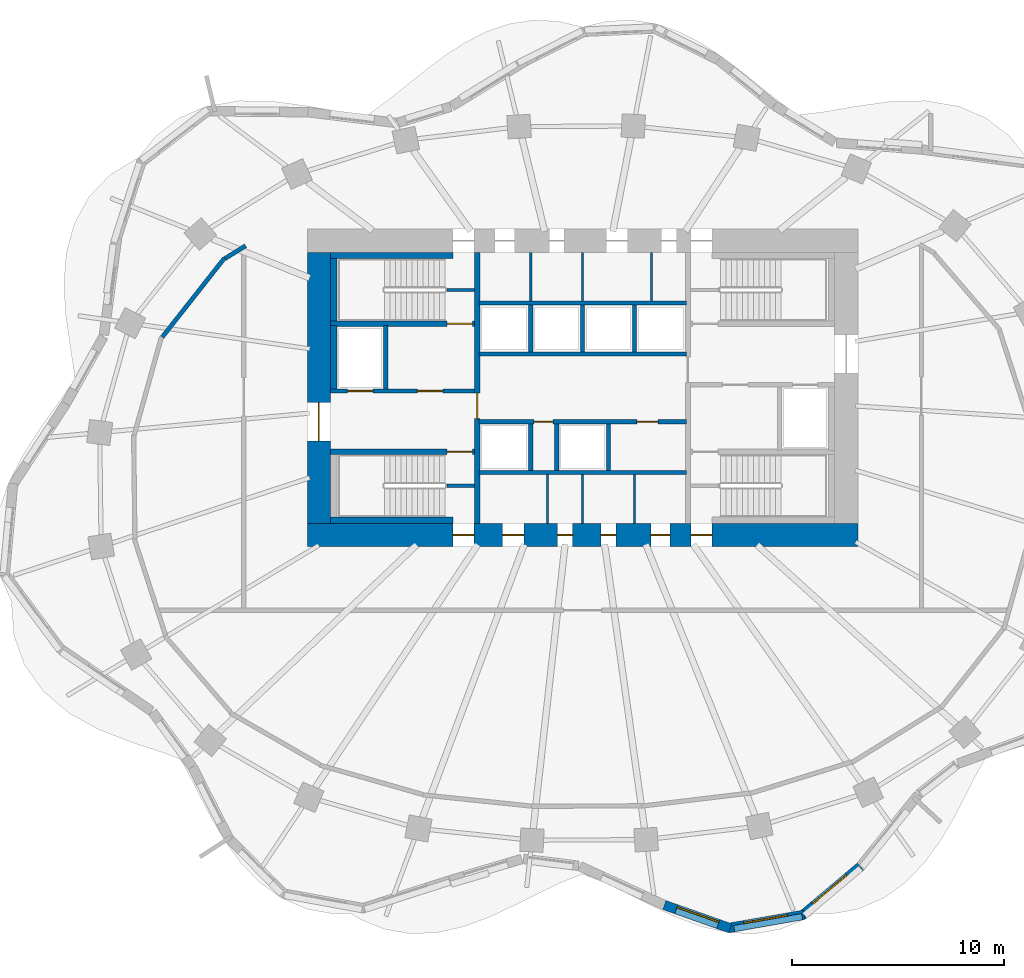
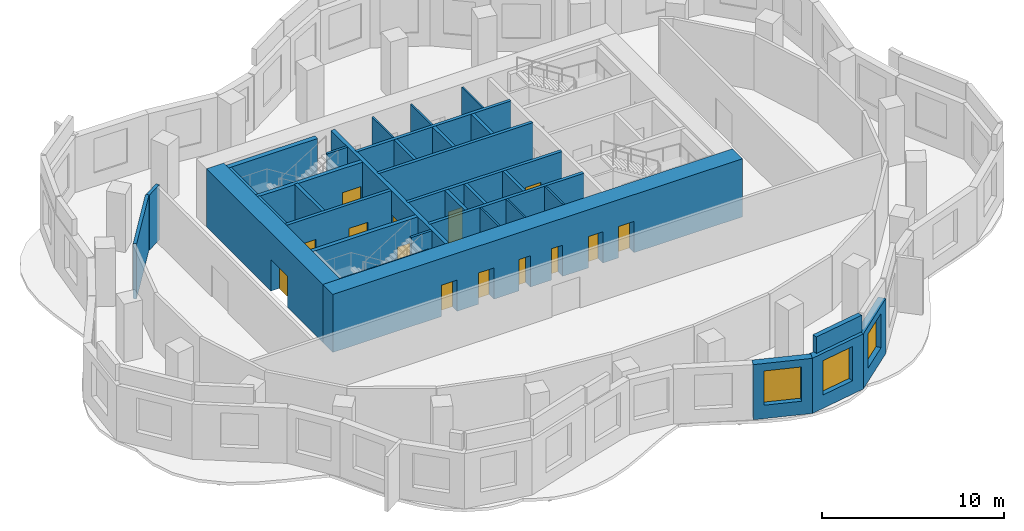
# One storey, part 4 of 8: 35 walls, 14 doors, 3 windows, 17 openings.
"""IFC4 building model written with IfcOpenShell, lengths in metres."""

from ifc_helpers import new_model, si_unit, direction, frame, frame_2d, origin, place, context, subcontext, project, spatial, rectangle, extrude, material, layer, layer_set, type_object, element, fill, save


model = new_model("IFC4")

# Units and contexts
model_context = context("Model", 3, precision=1e-05, world=origin(), true_north=direction((0.0, 1.0)))
body_context = subcontext(model_context, "Body", "Model", "MODEL_VIEW")
ifc_project = project(units=[si_unit("LENGTHUNIT", "METRE"), si_unit("AREAUNIT", "SQUARE_METRE"), si_unit("VOLUMEUNIT", "CUBIC_METRE"), si_unit("PLANEANGLEUNIT", "RADIAN"), si_unit("MASSUNIT", "GRAM", prefix="KILO")], contexts=[model_context])

# Site, building, storey
site_placement = place(None, origin())
site = spatial("IfcSite", under=ifc_project, at=site_placement, CompositionType="ELEMENT")
building_placement = place(site_placement, origin())
building = spatial("IfcBuilding", under=site, at=building_placement, Name="Rubra Terraces Tower", CompositionType="ELEMENT")
storey_placement = place(building_placement, frame((0.0, 0.0, 150.0)))
storey = spatial("IfcBuildingStorey", under=building, at=storey_placement, Name="L36", CompositionType="ELEMENT", Elevation=150.0)

# Wall, opening, window
ifc_material_1 = material(Name="Brick masonry red-brown", Category="masonry")
ifc_layer_1 = layer(ifc_material_1, 0.449951171875)
ifc_layer_set_1 = layer_set([ifc_layer_1], Name="Brick masonry red-brown")
wall_type_1 = type_object("IfcWallType", Name="Brick facade wall 450", PredefinedType="SOLIDWALL", material=ifc_layer_set_1)
wall_1_placement = place(storey_placement, frame((3.8603515625, -19.922607421875, 0.0), z_axis=(0.0, 0.0, 1.0), x_axis=(0.943061302397, -0.33261897108, 0.0)))
wall_1 = element("IfcWall", 1, at=wall_1_placement, inside=storey, type_object=wall_type_1, Name="Facade wall L36 bay 32", PredefinedType="SOLIDWALL", context=body_context, shape_type="SweptSolid", body=[
    extrude(rectangle(XDim=3.301513671875, YDim=0.449951171875, at=frame_2d((1.65087890625, 0.0))), origin(), (0.0, 0.0, 1.0), 3.699951171875),
])
opening_1_placement = place(wall_1_placement, frame((0.600830078125, 0.0, 0.89990234375)))
opening_1 = element("IfcOpeningElement", 2, at=opening_1_placement, cuts=wall_1, Name="Opening W1B", PredefinedType="OPENING", context=body_context, shape_type="SweptSolid", body=[
    extrude(rectangle(XDim=2.10009765625, YDim=2.300048828125, at=frame_2d((1.050048828125, 1.14990234375))), frame((0.0, 0.23486328125, 0.0), z_axis=(0.0, -1.0, 0.0), x_axis=(1.0, 0.0, 0.0)), (0.0, 0.0, 1.0), 0.469970703125),
])
ifc_material_2 = material(Name="Clear glass in aluminium frame", Category="aluminium")
window_type = type_object("IfcWindowType", Name="Fixed deep-set window tall storey 2100 x 2300", PartitioningType="SINGLE_PANEL", PredefinedType="WINDOW", material=ifc_material_2)
window_1_placement = place(opening_1_placement, origin())
window_1 = element("IfcWindow", 3, at=window_1_placement, inside=storey, type_object=window_type, Name="Window L36 bay 32", OverallHeight=2.300048828125, OverallWidth=2.10009765625, PartitioningType="SINGLE_PANEL", PredefinedType="WINDOW", context=body_context, shape_type="SweptSolid", body=[
    extrude(rectangle(XDim=2.10009765625, YDim=2.300048828125, at=frame_2d((1.050048828125, 1.14990234375))), frame((0.0, 0.135009765625, 0.0), z_axis=(0.0, -1.0, 0.0), x_axis=(1.0, 0.0, 0.0)), (0.0, 0.0, 1.0), 0.06005859375),
])
fill(opening_1, window_1)

wall_2_placement = place(storey_placement, frame((6.860107421875, -21.011474609375, 0.0), z_axis=(0.0, 0.0, 1.0), x_axis=(0.985017416972, 0.172454887614, 0.0)))
wall_2 = element("IfcWall", 4, at=wall_2_placement, inside=storey, type_object=wall_type_1, Name="Facade wall L36 bay 33", PredefinedType="SOLIDWALL", context=body_context, shape_type="SweptSolid", body=[
    extrude(rectangle(XDim=3.65380859375, YDim=0.449951171875, at=frame_2d((1.826904296875, 0.0))), origin(), (0.0, 0.0, 1.0), 3.699951171875),
])
opening_2_placement = place(wall_2_placement, frame((0.77685546875, 0.0, 0.89990234375)))
opening_2 = element("IfcOpeningElement", 5, at=opening_2_placement, cuts=wall_2, Name="Opening W1B", PredefinedType="OPENING", context=body_context, shape_type="SweptSolid", body=[
    extrude(rectangle(XDim=2.10009765625, YDim=2.300048828125, at=frame_2d((1.050048828125, 1.14990234375))), frame((0.0, 0.23486328125, 0.0), z_axis=(0.0, -1.0, 0.0), x_axis=(1.0, 0.0, 0.0)), (0.0, 0.0, 1.0), 0.469970703125),
])
window_2_placement = place(opening_2_placement, origin())
window_2 = element("IfcWindow", 6, at=window_2_placement, inside=storey, type_object=window_type, Name="Window L36 bay 33", OverallHeight=2.300048828125, OverallWidth=2.10009765625, PartitioningType="SINGLE_PANEL", PredefinedType="WINDOW", context=body_context, shape_type="SweptSolid", body=[
    extrude(rectangle(XDim=2.10009765625, YDim=2.300048828125, at=frame_2d((1.050048828125, 1.14990234375))), frame((0.0, 0.135009765625, 0.0), z_axis=(0.0, -1.0, 0.0), x_axis=(1.0, 0.0, 0.0)), (0.0, 0.0, 1.0), 0.06005859375),
])
fill(opening_2, window_2)

wall_3_placement = place(storey_placement, frame((10.353271484375, -20.430908203125, 0.0), z_axis=(0.0, 0.0, 1.0), x_axis=(0.765535539659, 0.643393610101, 0.0)))
wall_3 = element("IfcWall", 7, at=wall_3_placement, inside=storey, type_object=wall_type_1, Name="Facade wall L36 bay 34", PredefinedType="SOLIDWALL", context=body_context, shape_type="SweptSolid", body=[
    extrude(rectangle(XDim=3.60791015625, YDim=0.449951171875, at=frame_2d((1.803955078125, 0.0))), origin(), (0.0, 0.0, 1.0), 3.699951171875),
])
opening_3_placement = place(wall_3_placement, frame((0.75390625, 0.0, 0.89990234375)))
opening_3 = element("IfcOpeningElement", 8, at=opening_3_placement, cuts=wall_3, Name="Opening W1B", PredefinedType="OPENING", context=body_context, shape_type="SweptSolid", body=[
    extrude(rectangle(XDim=2.10009765625, YDim=2.300048828125, at=frame_2d((1.050048828125, 1.14990234375))), frame((0.0, 0.23486328125, 0.0), z_axis=(0.0, -1.0, 0.0), x_axis=(1.0, 0.0, 0.0)), (0.0, 0.0, 1.0), 0.469970703125),
])
window_3_placement = place(opening_3_placement, origin())
window_3 = element("IfcWindow", 9, at=window_3_placement, inside=storey, type_object=window_type, Name="Window L36 bay 34", OverallHeight=2.300048828125, OverallWidth=2.10009765625, PartitioningType="SINGLE_PANEL", PredefinedType="WINDOW", context=body_context, shape_type="SweptSolid", body=[
    extrude(rectangle(XDim=2.10009765625, YDim=2.300048828125, at=frame_2d((1.050048828125, 1.14990234375))), frame((0.0, 0.135009765625, 0.0), z_axis=(0.0, -1.0, 0.0), x_axis=(1.0, 0.0, 0.0)), (0.0, 0.0, 1.0), 0.06005859375),
])
fill(opening_3, window_3)

# Wall
ifc_layer_2 = layer(ifc_material_1, 0.300048828125)
ifc_layer_set_2 = layer_set([ifc_layer_2], Name="Brick masonry red-brown")
wall_type_2 = type_object("IfcWallType", Name="Brick parapet 300", PredefinedType="PARAPET", material=ifc_layer_set_2)
wall_4_placement = place(storey_placement, frame((7.1533203125, -21.0361328125, 3.89990234375), z_axis=(0.0, 0.0, 1.0), x_axis=(0.985026968375, 0.172400323589, 0.0)))
element("IfcWall", 10, at=wall_4_placement, inside=storey, type_object=wall_type_2, Name="Parapet L36 bay 33", PredefinedType="PARAPET", context=body_context, shape_type="SweptSolid", body=[
    extrude(rectangle(XDim=3.258544921875, YDim=0.300048828125, at=frame_2d((1.62939453125, 0.0))), origin(), (0.0, 0.0, 1.0), 1.10009765625),
])

# Wall, openings, doors
ifc_material_3 = material(Name="Concrete C60", Category="concrete")
ifc_layer_3 = layer(ifc_material_3, 1.10009765625)
ifc_layer_set_3 = layer_set([ifc_layer_3], Name="Concrete C60")
wall_type_3 = type_object("IfcWallType", Name="CORE WALL 1100 C60", PredefinedType="SHEAR", material=ifc_layer_set_3)
wall_5_placement = place(storey_placement, frame((-13.0, -2.449951171875, 0.0), z_axis=(0.0, 0.0, 1.0), x_axis=(1.0, 0.0, 0.0)))
wall_5 = element("IfcWall", 11, at=wall_5_placement, inside=storey, type_object=wall_type_3, Name="CORE WALL S L36", PredefinedType="SHEAR", context=body_context, shape_type="SweptSolid", body=[
    extrude(rectangle(XDim=26.0, YDim=1.10009765625, at=frame_2d((13.0, 0.0))), origin(), (0.0, 0.0, 1.0), 3.89990234375),
])
opening_4_placement = place(wall_5_placement, frame((9.22509765625, 0.0, 0.0)))
opening_4 = element("IfcOpeningElement", 12, at=opening_4_placement, cuts=wall_5, Name="Opening L36.C15", PredefinedType="OPENING", context=body_context, shape_type="SweptSolid", body=[
    extrude(rectangle(XDim=1.0, YDim=2.10009765625, at=frame_2d((0.5, 1.050048828125))), frame((0.0, 0.56005859375, 0.0), z_axis=(0.0, -1.0, 0.0), x_axis=(1.0, 0.0, 0.0)), (0.0, 0.0, 1.0), 1.1201171875),
])
opening_5_placement = place(wall_5_placement, frame((11.824951171875, 0.0, 0.0)))
opening_5 = element("IfcOpeningElement", 13, at=opening_5_placement, cuts=wall_5, Name="Opening L36.C16", PredefinedType="OPENING", context=body_context, shape_type="SweptSolid", body=[
    extrude(rectangle(XDim=0.699951171875, YDim=2.10009765625, at=frame_2d((0.35009765625, 1.050048828125))), frame((0.0, 0.56005859375, 0.0), z_axis=(0.0, -1.0, 0.0), x_axis=(1.0, 0.0, 0.0)), (0.0, 0.0, 1.0), 1.1201171875),
])
opening_6_placement = place(wall_5_placement, frame((13.875, 0.0, 0.0)))
opening_6 = element("IfcOpeningElement", 14, at=opening_6_placement, cuts=wall_5, Name="Opening L36.C17", PredefinedType="OPENING", context=body_context, shape_type="SweptSolid", body=[
    extrude(rectangle(XDim=0.699951171875, YDim=2.10009765625, at=frame_2d((0.35009765625, 1.050048828125))), frame((0.0, 0.56005859375, 0.0), z_axis=(0.0, -1.0, 0.0), x_axis=(1.0, 0.0, 0.0)), (0.0, 0.0, 1.0), 1.1201171875),
])
opening_7_placement = place(wall_5_placement, frame((16.22509765625, 0.0, 0.0)))
opening_7 = element("IfcOpeningElement", 15, at=opening_7_placement, cuts=wall_5, Name="Opening L36.C18", PredefinedType="OPENING", context=body_context, shape_type="SweptSolid", body=[
    extrude(rectangle(XDim=0.89990234375, YDim=2.10009765625, at=frame_2d((0.449951171875, 1.050048828125))), frame((0.0, 0.56005859375, 0.0), z_axis=(0.0, -1.0, 0.0), x_axis=(1.0, 0.0, 0.0)), (0.0, 0.0, 1.0), 1.1201171875),
])
opening_8_placement = place(wall_5_placement, frame((6.8798828125, 0.0, 0.0)))
opening_8 = element("IfcOpeningElement", 16, at=opening_8_placement, cuts=wall_5, Name="Opening L36.C23", PredefinedType="OPENING", context=body_context, shape_type="SweptSolid", body=[
    extrude(rectangle(XDim=1.0, YDim=2.10009765625, at=frame_2d((0.5, 1.050048828125))), frame((0.0, 0.56005859375, 0.0), z_axis=(0.0, -1.0, 0.0), x_axis=(1.0, 0.0, 0.0)), (0.0, 0.0, 1.0), 1.1201171875),
])
opening_9_placement = place(wall_5_placement, frame((18.1201171875, 0.0, 0.0)))
opening_9 = element("IfcOpeningElement", 17, at=opening_9_placement, cuts=wall_5, Name="Opening L36.C26", PredefinedType="OPENING", context=body_context, shape_type="SweptSolid", body=[
    extrude(rectangle(XDim=1.0, YDim=2.10009765625, at=frame_2d((0.5, 1.050048828125))), frame((0.0, 0.56005859375, 0.0), z_axis=(0.0, -1.0, 0.0), x_axis=(1.0, 0.0, 0.0)), (0.0, 0.0, 1.0), 1.1201171875),
])
ifc_material_4 = material(Name="Painted steel", Category="steel")
door_type_1 = type_object("IfcDoorType", Name="Fire door 1000x2100 single", OperationType="NOTDEFINED", PredefinedType="DOOR", material=ifc_material_4)
door_1_placement = place(opening_4_placement, origin())
door_1 = element("IfcDoor", 18, at=door_1_placement, inside=storey, type_object=door_type_1, Name="General store door", OperationType="SINGLE_SWING_LEFT", OverallHeight=2.10009765625, OverallWidth=1.0, PredefinedType="DOOR", context=body_context, shape_type="SweptSolid", body=[
    extrude(rectangle(XDim=1.0, YDim=2.10009765625, at=frame_2d((0.5, 1.050048828125))), frame((0.0, 0.02490234375, 0.0), z_axis=(0.0, -1.0, 0.0), x_axis=(1.0, 0.0, 0.0)), (0.0, 0.0, 1.0), 0.050048828125),
])
fill(opening_4, door_1)
door_2_placement = place(opening_8_placement, origin())
door_2 = element("IfcDoor", 19, at=door_2_placement, inside=storey, type_object=door_type_1, Name="Stair S1 refuge door", OperationType="SINGLE_SWING_LEFT", OverallHeight=2.10009765625, OverallWidth=1.0, PredefinedType="DOOR", context=body_context, shape_type="SweptSolid", body=[
    extrude(rectangle(XDim=1.0, YDim=2.10009765625, at=frame_2d((0.5, 1.050048828125))), frame((0.0, 0.02490234375, 0.0), z_axis=(0.0, -1.0, 0.0), x_axis=(1.0, 0.0, 0.0)), (0.0, 0.0, 1.0), 0.050048828125),
])
fill(opening_8, door_2)
door_3_placement = place(opening_9_placement, origin())
door_3 = element("IfcDoor", 20, at=door_3_placement, inside=storey, type_object=door_type_1, Name="Stair S4 refuge door", OperationType="SINGLE_SWING_RIGHT", OverallHeight=2.10009765625, OverallWidth=1.0, PredefinedType="DOOR", context=body_context, shape_type="SweptSolid", body=[
    extrude(rectangle(XDim=1.0, YDim=2.10009765625, at=frame_2d((0.5, 1.050048828125))), frame((0.0, 0.02490234375, 0.0), z_axis=(0.0, -1.0, 0.0), x_axis=(1.0, 0.0, 0.0)), (0.0, 0.0, 1.0), 0.050048828125),
])
fill(opening_9, door_3)
door_type_2 = type_object("IfcDoorType", Name="Fire door 900x2100 single", OperationType="NOTDEFINED", PredefinedType="DOOR", material=ifc_material_4)
door_4_placement = place(opening_7_placement, origin())
door_4 = element("IfcDoor", 21, at=door_4_placement, inside=storey, type_object=door_type_2, Name="Cleaner's store door", OperationType="SINGLE_SWING_RIGHT", OverallHeight=2.10009765625, OverallWidth=0.89990234375, PredefinedType="DOOR", context=body_context, shape_type="SweptSolid", body=[
    extrude(rectangle(XDim=0.89990234375, YDim=2.10009765625, at=frame_2d((0.449951171875, 1.050048828125))), frame((0.0, 0.02490234375, 0.0), z_axis=(0.0, -1.0, 0.0), x_axis=(1.0, 0.0, 0.0)), (0.0, 0.0, 1.0), 0.050048828125),
])
fill(opening_7, door_4)
door_type_3 = type_object("IfcDoorType", Name="Riser access door 700x2100 single", OperationType="NOTDEFINED", PredefinedType="DOOR", material=ifc_material_4)
door_5_placement = place(opening_5_placement, origin())
door_5 = element("IfcDoor", 22, at=door_5_placement, inside=storey, type_object=door_type_3, Name="Mechanical riser (water and drainage) door", OperationType="SINGLE_SWING_RIGHT", OverallHeight=2.10009765625, OverallWidth=0.699951171875, PredefinedType="DOOR", context=body_context, shape_type="SweptSolid", body=[
    extrude(rectangle(XDim=0.699951171875, YDim=2.10009765625, at=frame_2d((0.35009765625, 1.050048828125))), frame((0.0, 0.02490234375, 0.0), z_axis=(0.0, -1.0, 0.0), x_axis=(1.0, 0.0, 0.0)), (0.0, 0.0, 1.0), 0.050048828125),
])
fill(opening_5, door_5)
door_6_placement = place(opening_6_placement, origin())
door_6 = element("IfcDoor", 23, at=door_6_placement, inside=storey, type_object=door_type_3, Name="M&E riser room door", OperationType="SINGLE_SWING_LEFT", OverallHeight=2.10009765625, OverallWidth=0.699951171875, PredefinedType="DOOR", context=body_context, shape_type="SweptSolid", body=[
    extrude(rectangle(XDim=0.699951171875, YDim=2.10009765625, at=frame_2d((0.35009765625, 1.050048828125))), frame((0.0, 0.02490234375, 0.0), z_axis=(0.0, -1.0, 0.0), x_axis=(1.0, 0.0, 0.0)), (0.0, 0.0, 1.0), 0.050048828125),
])
fill(opening_6, door_6)

# Wall, opening, door
wall_6_placement = place(storey_placement, frame((-12.449951171875, -1.89990234375, 0.0), z_axis=(0.0, 0.0, 1.0), x_axis=(0.0, 1.0, 0.0)))
wall_6 = element("IfcWall", 24, at=wall_6_placement, inside=storey, type_object=wall_type_3, Name="CORE WALL W L36", PredefinedType="SHEAR", context=body_context, shape_type="SweptSolid", body=[
    extrude(rectangle(XDim=12.7998046875, YDim=1.10009765625, at=frame_2d((6.39990234375, 0.0))), origin(), (0.0, 0.0, 1.0), 3.89990234375),
])
opening_10_placement = place(wall_6_placement, frame((3.89990234375, 0.0, 0.0)))
opening_10 = element("IfcOpeningElement", 25, at=opening_10_placement, cuts=wall_6, Name="Opening L36.C01", PredefinedType="OPENING", context=body_context, shape_type="SweptSolid", body=[
    extrude(rectangle(XDim=1.800048828125, YDim=2.10009765625, at=frame_2d((0.89990234375, 1.050048828125))), frame((0.0, 0.56005859375, 0.0), z_axis=(0.0, -1.0, 0.0), x_axis=(1.0, 0.0, 0.0)), (0.0, 0.0, 1.0), 1.1201171875),
])
door_type_4 = type_object("IfcDoorType", Name="Fire door 1800x2100 double", OperationType="NOTDEFINED", PredefinedType="DOOR", material=ifc_material_4)
door_7_placement = place(opening_10_placement, origin())
door_7 = element("IfcDoor", 26, at=door_7_placement, inside=storey, type_object=door_type_4, Name="Core entrance door FF1", OperationType="DOUBLE_DOOR_SINGLE_SWING", OverallHeight=2.10009765625, OverallWidth=1.800048828125, PredefinedType="DOOR", context=body_context, shape_type="SweptSolid", body=[
    extrude(rectangle(XDim=1.800048828125, YDim=2.10009765625, at=frame_2d((0.89990234375, 1.050048828125))), frame((0.0, 0.02490234375, 0.0), z_axis=(0.0, -1.0, 0.0), x_axis=(1.0, 0.0, 0.0)), (0.0, 0.0, 1.0), 0.050048828125),
])
fill(opening_10, door_7)

# Walls
ifc_material_5 = material(Name="Concrete C40", Category="concrete")
ifc_layer_4 = layer(ifc_material_5, 0.300048828125)
ifc_layer_set_4 = layer_set([ifc_layer_4], Name="Concrete C40")
wall_type_4 = type_object("IfcWallType", Name="Core lining wall 300 concrete", PredefinedType="SOLIDWALL", material=ifc_layer_set_4)
wall_7_placement = place(storey_placement, frame((-11.89990234375, -1.75, 0.0), z_axis=(0.0, 0.0, 1.0), x_axis=(1.0, 0.0, 0.0)))
element("IfcWall", 27, at=wall_7_placement, inside=storey, type_object=wall_type_4, Name="CORE LINING WALL L36", PredefinedType="SOLIDWALL", context=body_context, shape_type="SweptSolid", body=[
    extrude(rectangle(XDim=5.77978515625, YDim=0.300048828125, at=frame_2d((2.889892578125, 0.0))), origin(), (0.0, 0.0, 1.0), 3.699951171875),
])
wall_8_placement = place(storey_placement, frame((-11.75, 4.449951171875, 0.0), z_axis=(0.0, 0.0, 1.0), x_axis=(0.0, 1.0, 0.0)))
element("IfcWall", 28, at=wall_8_placement, inside=storey, type_object=wall_type_4, Name="CORE LINING WALL L36", PredefinedType="SOLIDWALL", context=body_context, shape_type="SweptSolid", body=[
    extrude(rectangle(XDim=3.0, YDim=0.300048828125, at=frame_2d((1.5, 0.0))), origin(), (0.0, 0.0, 1.0), 3.699951171875),
])
wall_9_placement = place(storey_placement, frame((-11.75, 7.64990234375, 0.0), z_axis=(0.0, 0.0, 1.0), x_axis=(0.0, 1.0, 0.0)))
element("IfcWall", 29, at=wall_9_placement, inside=storey, type_object=wall_type_4, Name="CORE LINING WALL L36", PredefinedType="SOLIDWALL", context=body_context, shape_type="SweptSolid", body=[
    extrude(rectangle(XDim=2.9501953125, YDim=0.300048828125, at=frame_2d((1.47509765625, 0.0))), origin(), (0.0, 0.0, 1.0), 3.699951171875),
])
wall_10_placement = place(storey_placement, frame((-11.89990234375, 10.75, 0.0), z_axis=(0.0, 0.0, 1.0), x_axis=(1.0, 0.0, 0.0)))
element("IfcWall", 30, at=wall_10_placement, inside=storey, type_object=wall_type_4, Name="CORE LINING WALL L36", PredefinedType="SOLIDWALL", context=body_context, shape_type="SweptSolid", body=[
    extrude(rectangle(XDim=5.77978515625, YDim=0.300048828125, at=frame_2d((2.889892578125, 0.0))), origin(), (0.0, 0.0, 1.0), 3.699951171875),
])

# Wall, openings, doors
ifc_material_6 = material(Name="Concrete C30", Category="concrete")
ifc_layer_5 = layer(ifc_material_6, 0.199951171875)
ifc_layer_set_5 = layer_set([ifc_layer_5], Name="Concrete C30")
wall_type_5 = type_object("IfcWallType", Name="Core wall 200 concrete", PredefinedType="SOLIDWALL", material=ifc_layer_set_5)
wall_11_placement = place(storey_placement, frame((-11.89990234375, 4.35009765625, 0.0), z_axis=(0.0, 0.0, 1.0), x_axis=(1.0, 0.0, 0.0)))
wall_11 = element("IfcWall", 31, at=wall_11_placement, inside=storey, type_object=wall_type_5, Name="STAIR WALL L36", PredefinedType="SOLIDWALL", context=body_context, shape_type="SweptSolid", body=[
    extrude(rectangle(XDim=6.7998046875, YDim=0.199951171875, at=frame_2d((3.39990234375, 0.0))), origin(), (0.0, 0.0, 1.0), 3.699951171875),
])
opening_11_placement = place(wall_11_placement, frame((4.10009765625, 0.0, 0.0)))
opening_11 = element("IfcOpeningElement", 32, at=opening_11_placement, cuts=wall_11, Name="Opening L36.C05", PredefinedType="OPENING", context=body_context, shape_type="SweptSolid", body=[
    extrude(rectangle(XDim=1.199951171875, YDim=2.10009765625, at=frame_2d((0.60009765625, 1.050048828125))), frame((0.0, 0.10986328125, 0.0), z_axis=(0.0, -1.0, 0.0), x_axis=(1.0, 0.0, 0.0)), (0.0, 0.0, 1.0), 0.219970703125),
])
opening_12_placement = place(wall_11_placement, frame((0.800048828125, 0.0, 0.0)))
opening_12 = element("IfcOpeningElement", 33, at=opening_12_placement, cuts=wall_11, Name="Opening L36.C11", PredefinedType="OPENING", context=body_context, shape_type="SweptSolid", body=[
    extrude(rectangle(XDim=1.199951171875, YDim=2.10009765625, at=frame_2d((0.60009765625, 1.050048828125))), frame((0.0, 0.10986328125, 0.0), z_axis=(0.0, -1.0, 0.0), x_axis=(1.0, 0.0, 0.0)), (0.0, 0.0, 1.0), 0.219970703125),
])
door_type_5 = type_object("IfcDoorType", Name="Fire door 1200x2100 single", OperationType="NOTDEFINED", PredefinedType="DOOR", material=ifc_material_4)
door_8_placement = place(opening_11_placement, origin())
door_8 = element("IfcDoor", 34, at=door_8_placement, inside=storey, type_object=door_type_5, Name="Stair vestibule door S2", OperationType="SINGLE_SWING_LEFT", OverallHeight=2.10009765625, OverallWidth=1.199951171875, PredefinedType="DOOR", context=body_context, shape_type="SweptSolid", body=[
    extrude(rectangle(XDim=1.199951171875, YDim=2.10009765625, at=frame_2d((0.60009765625, 1.050048828125))), frame((0.0, 0.02490234375, 0.0), z_axis=(0.0, -1.0, 0.0), x_axis=(1.0, 0.0, 0.0)), (0.0, 0.0, 1.0), 0.050048828125),
])
fill(opening_11, door_8)
ifc_material_7 = material(Name="Stainless steel", Category="steel")
door_type_6 = type_object("IfcDoorType", Name="Lift landing door 1200x2100", OperationType="NOTDEFINED", PredefinedType="DOOR", material=ifc_material_7)
door_9_placement = place(opening_12_placement, origin())
door_9 = element("IfcDoor", 35, at=door_9_placement, inside=storey, type_object=door_type_6, Name="Landing door FF1", OperationType="SLIDING_TO_RIGHT", OverallHeight=2.10009765625, OverallWidth=1.199951171875, PredefinedType="DOOR", context=body_context, shape_type="SweptSolid", body=[
    extrude(rectangle(XDim=1.199951171875, YDim=2.10009765625, at=frame_2d((0.60009765625, 1.050048828125))), frame((0.0, 0.02490234375, 0.0), z_axis=(0.0, -1.0, 0.0), x_axis=(1.0, 0.0, 0.0)), (0.0, 0.0, 1.0), 0.050048828125),
])
fill(opening_12, door_9)

# Walls
wall_12_placement = place(storey_placement, frame((-9.300048828125, 4.449951171875, 0.0), z_axis=(0.0, 0.0, 1.0), x_axis=(0.0, 1.0, 0.0)))
element("IfcWall", 36, at=wall_12_placement, inside=storey, type_object=wall_type_5, Name="STAIR WALL L36", PredefinedType="SOLIDWALL", context=body_context, shape_type="SweptSolid", body=[
    extrude(rectangle(XDim=3.0, YDim=0.199951171875, at=frame_2d((1.5, 0.0))), origin(), (0.0, 0.0, 1.0), 3.699951171875),
])
wall_13_placement = place(storey_placement, frame((-4.89990234375, 0.5, 0.0), z_axis=(0.0, 0.0, 1.0), x_axis=(1.0, 0.0, 0.0)))
element("IfcWall", 37, at=wall_13_placement, inside=storey, type_object=wall_type_5, Name="LIFT SHAFT WALL L36", PredefinedType="SOLIDWALL", context=body_context, shape_type="SweptSolid", body=[
    extrude(rectangle(XDim=9.7998046875, YDim=0.199951171875, at=frame_2d((4.89990234375, 0.0))), origin(), (0.0, 0.0, 1.0), 3.699951171875),
])

# Wall, openings, doors
wall_14_placement = place(storey_placement, frame((-4.89990234375, 2.89990234375, 0.0), z_axis=(0.0, 0.0, 1.0), x_axis=(1.0, 0.0, 0.0)))
wall_14 = element("IfcWall", 38, at=wall_14_placement, inside=storey, type_object=wall_type_5, Name="LIFT SHAFT WALL L36", PredefinedType="SOLIDWALL", context=body_context, shape_type="SweptSolid", body=[
    extrude(rectangle(XDim=9.7998046875, YDim=0.199951171875, at=frame_2d((4.89990234375, 0.0))), origin(), (0.0, 0.0, 1.0), 3.699951171875),
])
opening_13_placement = place(wall_14_placement, frame((2.613037109375, 0.0, 0.0)))
opening_13 = element("IfcOpeningElement", 39, at=opening_13_placement, cuts=wall_14, Name="Opening L36.C13", PredefinedType="OPENING", context=body_context, shape_type="SweptSolid", body=[
    extrude(rectangle(XDim=0.89990234375, YDim=2.10009765625, at=frame_2d((0.449951171875, 1.050048828125))), frame((0.0, 0.10986328125, 0.0), z_axis=(0.0, -1.0, 0.0), x_axis=(1.0, 0.0, 0.0)), (0.0, 0.0, 1.0), 0.219970703125),
])
opening_14_placement = place(wall_14_placement, frame((7.462890625, 0.0, 0.0)))
opening_14 = element("IfcOpeningElement", 40, at=opening_14_placement, cuts=wall_14, Name="Opening L36.C14", PredefinedType="OPENING", context=body_context, shape_type="SweptSolid", body=[
    extrude(rectangle(XDim=1.0, YDim=2.10009765625, at=frame_2d((0.5, 1.050048828125))), frame((0.0, 0.10986328125, 0.0), z_axis=(0.0, -1.0, 0.0), x_axis=(1.0, 0.0, 0.0)), (0.0, 0.0, 1.0), 0.219970703125),
])
door_10_placement = place(opening_14_placement, origin())
door_10 = element("IfcDoor", 41, at=door_10_placement, inside=storey, type_object=door_type_1, Name="General store door", OperationType="SINGLE_SWING_RIGHT", OverallHeight=2.10009765625, OverallWidth=1.0, PredefinedType="DOOR", context=body_context, shape_type="SweptSolid", body=[
    extrude(rectangle(XDim=1.0, YDim=2.10009765625, at=frame_2d((0.5, 1.050048828125))), frame((0.0, 0.02490234375, 0.0), z_axis=(0.0, -1.0, 0.0), x_axis=(1.0, 0.0, 0.0)), (0.0, 0.0, 1.0), 0.050048828125),
])
fill(opening_14, door_10)
door_11_placement = place(opening_13_placement, origin())
door_11 = element("IfcDoor", 42, at=door_11_placement, inside=storey, type_object=door_type_2, Name="Cleaner's store door", OperationType="SINGLE_SWING_LEFT", OverallHeight=2.10009765625, OverallWidth=0.89990234375, PredefinedType="DOOR", context=body_context, shape_type="SweptSolid", body=[
    extrude(rectangle(XDim=0.89990234375, YDim=2.10009765625, at=frame_2d((0.449951171875, 1.050048828125))), frame((0.0, 0.02490234375, 0.0), z_axis=(0.0, -1.0, 0.0), x_axis=(1.0, 0.0, 0.0)), (0.0, 0.0, 1.0), 0.050048828125),
])
fill(opening_13, door_11)

# Walls
for number, where, z_axis, x_axis, name in (
    (43, (-4.89990234375, 6.10009765625, 0.0), (0.0, 0.0, 1.0), (1.0, 0.0, 0.0), "LIFT SHAFT WALL L36"),
    (44, (-4.89990234375, 8.5, 0.0), (0.0, 0.0, 1.0), (1.0, 0.0, 0.0), "LIFT SHAFT WALL L36"),
):
    element("IfcWall", number, at=place(storey_placement, frame(where, z_axis=z_axis, x_axis=x_axis)), inside=storey, type_object=wall_type_5, Name=name, PredefinedType="SOLIDWALL", context=body_context, shape_type="SweptSolid", body=[
        extrude(rectangle(XDim=9.7998046875, YDim=0.199951171875, at=frame_2d((4.89990234375, 0.0))), origin(), (0.0, 0.0, 1.0), 3.699951171875),
    ])
for number, where, z_axis, x_axis, name in (
    (45, (-2.449951171875, 0.60009765625, 0.0), (0.0, 0.0, 1.0), (0.0, 1.0, 0.0), "LIFT SHAFT WALL L36"),
    (46, (-1.22509765625, 0.60009765625, 0.0), (0.0, 0.0, 1.0), (0.0, 1.0, 0.0), "LIFT SHAFT WALL L36"),
    (47, (1.22509765625, 0.60009765625, 0.0), (0.0, 0.0, 1.0), (0.0, 1.0, 0.0), "LIFT SHAFT WALL L36"),
    (48, (-2.449951171875, 6.199951171875, 0.0), (0.0, 0.0, 1.0), (0.0, 1.0, 0.0), "LIFT SHAFT WALL L36"),
    (49, (0.0, 6.199951171875, 0.0), (0.0, 0.0, 1.0), (0.0, 1.0, 0.0), "LIFT SHAFT WALL L36"),
    (50, (2.449951171875, 6.199951171875, 0.0), (0.0, 0.0, 1.0), (0.0, 1.0, 0.0), "LIFT SHAFT WALL L36"),
):
    element("IfcWall", number, at=place(storey_placement, frame(where, z_axis=z_axis, x_axis=x_axis)), inside=storey, type_object=wall_type_5, Name=name, PredefinedType="SOLIDWALL", context=body_context, shape_type="SweptSolid", body=[
        extrude(rectangle(XDim=2.199951171875, YDim=0.199951171875, at=frame_2d((1.10009765625, 0.0))), origin(), (0.0, 0.0, 1.0), 3.699951171875),
    ])
ifc_material_8 = material(Name="Blockwork", Category="masonry")
ifc_layer_6 = layer(ifc_material_8, 0.199951171875)
ifc_layer_set_6 = layer_set([ifc_layer_6], Name="Blockwork")
wall_type_6 = type_object("IfcWallType", Name="Corridor partition 200 blockwork", PredefinedType="PARTITIONING", material=ifc_layer_set_6)
wall_15_placement = place(storey_placement, frame((-19.84912109375, 6.89501953125, 0.0), z_axis=(0.0, 0.0, 1.0), x_axis=(0.618811760178, 0.785539308669, 0.0)))
element("IfcWall", 51, at=wall_15_placement, inside=storey, type_object=wall_type_6, Name="Partition wall", PredefinedType="PARTITIONING", context=body_context, shape_type="SweptSolid", body=[
    extrude(rectangle(XDim=4.756103515625, YDim=0.199951171875, at=frame_2d((2.3779296875, 0.0))), origin(), (0.0, 0.0, 1.0), 3.699951171875),
])
wall_16_placement = place(storey_placement, frame((-16.883056640625, 10.60498046875, 0.0), z_axis=(0.0, 0.0, 1.0), x_axis=(0.84954745962, 0.527512193085, 0.0)))
element("IfcWall", 52, at=wall_16_placement, inside=storey, type_object=wall_type_6, Name="Partition wall", PredefinedType="PARTITIONING", context=body_context, shape_type="SweptSolid", body=[
    extrude(rectangle(XDim=1.139404296875, YDim=0.199951171875, at=frame_2d((0.56982421875, 0.0))), origin(), (0.0, 0.0, 1.0), 3.699951171875),
])
ifc_layer_7 = layer(ifc_material_8, 0.10009765625)
ifc_layer_set_7 = layer_set([ifc_layer_7], Name="Blockwork")
wall_type_7 = type_object("IfcWallType", Name="Service partition 100 blockwork", PredefinedType="PARTITIONING", material=ifc_layer_set_7)
for number, where, z_axis, x_axis, name in (
    (53, (-1.64990234375, -1.89990234375, 0.0), (0.0, 0.0, 1.0), (0.0, 1.0, 0.0), "SERVICE ROOM PARTITION L36"),
    (54, (0.0, -1.89990234375, 0.0), (0.0, 0.0, 1.0), (0.0, 1.0, 0.0), "SERVICE ROOM PARTITION L36"),
    (55, (2.449951171875, -1.89990234375, 0.0), (0.0, 0.0, 1.0), (0.0, 1.0, 0.0), "SERVICE ROOM PARTITION L36"),
    (56, (-2.449951171875, 8.60009765625, 0.0), (0.0, 0.0, 1.0), (0.0, 1.0, 0.0), "SERVICE ROOM PARTITION L36"),
    (57, (0.0, 8.60009765625, 0.0), (0.0, 0.0, 1.0), (0.0, 1.0, 0.0), "SERVICE ROOM PARTITION L36"),
    (58, (3.25, 8.60009765625, 0.0), (0.0, 0.0, 1.0), (0.0, 1.0, 0.0), "SERVICE ROOM PARTITION L36"),
):
    element("IfcWall", number, at=place(storey_placement, frame(where, z_axis=z_axis, x_axis=x_axis)), inside=storey, type_object=wall_type_7, Name=name, PredefinedType="PARTITIONING", context=body_context, shape_type="SweptSolid", body=[
        extrude(rectangle(XDim=2.2998046875, YDim=0.10009765625, at=frame_2d((1.14990234375, 0.0))), origin(), (0.0, 0.0, 1.0), 3.699951171875),
    ])

# Wall, opening, door
ifc_layer_8 = layer(ifc_material_5, 0.25)
ifc_layer_set_8 = layer_set([ifc_layer_8], Name="Concrete C40")
wall_type_8 = type_object("IfcWallType", Name="Stair enclosure wall 250 concrete", PredefinedType="SOLIDWALL", material=ifc_layer_set_8)
wall_17_placement = place(storey_placement, frame((-11.89990234375, 1.47509765625, 0.0), z_axis=(0.0, 0.0, 1.0), x_axis=(1.0, 0.0, 0.0)))
wall_17 = element("IfcWall", 59, at=wall_17_placement, inside=storey, type_object=wall_type_8, Name="STAIR WALL L36", PredefinedType="SOLIDWALL", context=body_context, shape_type="SweptSolid", body=[
    extrude(rectangle(XDim=6.7998046875, YDim=0.25, at=frame_2d((3.39990234375, 0.0))), origin(), (0.0, 0.0, 1.0), 3.699951171875),
])
opening_15_placement = place(wall_17_placement, frame((5.5, 0.0, 0.0)))
opening_15 = element("IfcOpeningElement", 60, at=opening_15_placement, cuts=wall_17, Name="Opening L36.C07", PredefinedType="OPENING", context=body_context, shape_type="SweptSolid", body=[
    extrude(rectangle(XDim=1.199951171875, YDim=2.10009765625, at=frame_2d((0.60009765625, 1.050048828125))), frame((0.0, 0.135009765625, 0.0), z_axis=(0.0, -1.0, 0.0), x_axis=(1.0, 0.0, 0.0)), (0.0, 0.0, 1.0), 0.27001953125),
])
door_12_placement = place(opening_15_placement, origin())
door_12 = element("IfcDoor", 61, at=door_12_placement, inside=storey, type_object=door_type_5, Name="Stair door S1", OperationType="SINGLE_SWING_LEFT", OverallHeight=2.10009765625, OverallWidth=1.199951171875, PredefinedType="DOOR", context=body_context, shape_type="SweptSolid", body=[
    extrude(rectangle(XDim=1.199951171875, YDim=2.10009765625, at=frame_2d((0.60009765625, 1.050048828125))), frame((0.0, 0.02490234375, 0.0), z_axis=(0.0, -1.0, 0.0), x_axis=(1.0, 0.0, 0.0)), (0.0, 0.0, 1.0), 0.050048828125),
])
fill(opening_15, door_12)

wall_18_placement = place(storey_placement, frame((-11.89990234375, 7.52490234375, 0.0), z_axis=(0.0, 0.0, 1.0), x_axis=(1.0, 0.0, 0.0)))
wall_18 = element("IfcWall", 62, at=wall_18_placement, inside=storey, type_object=wall_type_8, Name="STAIR WALL L36", PredefinedType="SOLIDWALL", context=body_context, shape_type="SweptSolid", body=[
    extrude(rectangle(XDim=6.7998046875, YDim=0.25, at=frame_2d((3.39990234375, 0.0))), origin(), (0.0, 0.0, 1.0), 3.699951171875),
])
opening_16_placement = place(wall_18_placement, frame((5.5, 0.0, 0.0)))
opening_16 = element("IfcOpeningElement", 63, at=opening_16_placement, cuts=wall_18, Name="Opening L36.C09", PredefinedType="OPENING", context=body_context, shape_type="SweptSolid", body=[
    extrude(rectangle(XDim=1.199951171875, YDim=2.10009765625, at=frame_2d((0.60009765625, 1.050048828125))), frame((0.0, 0.135009765625, 0.0), z_axis=(0.0, -1.0, 0.0), x_axis=(1.0, 0.0, 0.0)), (0.0, 0.0, 1.0), 0.27001953125),
])
door_13_placement = place(opening_16_placement, origin())
door_13 = element("IfcDoor", 64, at=door_13_placement, inside=storey, type_object=door_type_5, Name="Stair door S2", OperationType="SINGLE_SWING_LEFT", OverallHeight=2.10009765625, OverallWidth=1.199951171875, PredefinedType="DOOR", context=body_context, shape_type="SweptSolid", body=[
    extrude(rectangle(XDim=1.199951171875, YDim=2.10009765625, at=frame_2d((0.60009765625, 1.050048828125))), frame((0.0, 0.02490234375, 0.0), z_axis=(0.0, -1.0, 0.0), x_axis=(1.0, 0.0, 0.0)), (0.0, 0.0, 1.0), 0.050048828125),
])
fill(opening_16, door_13)

wall_19_placement = place(storey_placement, frame((-4.97509765625, -1.89990234375, 0.0), z_axis=(0.0, 0.0, 1.0), x_axis=(0.0, 1.0, 0.0)))
wall_19 = element("IfcWall", 65, at=wall_19_placement, inside=storey, type_object=wall_type_8, Name="CORE LOBBY WALL L36", PredefinedType="SOLIDWALL", context=body_context, shape_type="SweptSolid", body=[
    extrude(rectangle(XDim=12.7998046875, YDim=0.25, at=frame_2d((6.39990234375, 0.0))), origin(), (0.0, 0.0, 1.0), 3.699951171875),
])
opening_17_placement = place(wall_19_placement, frame((4.949951171875, 0.0, 0.0)))
opening_17 = element("IfcOpeningElement", 66, at=opening_17_placement, cuts=wall_19, Name="Opening L36.C03", PredefinedType="OPENING", context=body_context, shape_type="SweptSolid", body=[
    extrude(rectangle(XDim=1.199951171875, YDim=2.10009765625, at=frame_2d((0.60009765625, 1.050048828125))), frame((0.0, 0.135009765625, 0.0), z_axis=(0.0, -1.0, 0.0), x_axis=(1.0, 0.0, 0.0)), (0.0, 0.0, 1.0), 0.27001953125),
])
door_14_placement = place(opening_17_placement, origin())
door_14 = element("IfcDoor", 67, at=door_14_placement, inside=storey, type_object=door_type_5, Name="Firefighting lobby door FF1", OperationType="SINGLE_SWING_LEFT", OverallHeight=2.10009765625, OverallWidth=1.199951171875, PredefinedType="DOOR", context=body_context, shape_type="SweptSolid", body=[
    extrude(rectangle(XDim=1.199951171875, YDim=2.10009765625, at=frame_2d((0.60009765625, 1.050048828125))), frame((0.0, 0.02490234375, 0.0), z_axis=(0.0, -1.0, 0.0), x_axis=(1.0, 0.0, 0.0)), (0.0, 0.0, 1.0), 0.050048828125),
])
fill(opening_17, door_14)

# Walls
ifc_layer_9 = layer(ifc_material_5, 0.14990234375)
ifc_layer_set_9 = layer_set([ifc_layer_9], Name="Concrete C40")
wall_type_9 = type_object("IfcWallType", Name="Stair separation wall 150 concrete", PredefinedType="SOLIDWALL", material=ifc_layer_set_9)
for number, where, z_axis, x_axis, name in (
    (68, (-6.39990234375, -0.125, 0.0), (0.0, 0.0, 1.0), (1.0, 0.0, 0.0), "STAIR SEPARATION WALL L36"),
    (69, (-6.39990234375, 9.125, 0.0), (0.0, 0.0, 1.0), (1.0, 0.0, 0.0), "STAIR SEPARATION WALL L36"),
):
    element("IfcWall", number, at=place(storey_placement, frame(where, z_axis=z_axis, x_axis=x_axis)), inside=storey, type_object=wall_type_9, Name=name, PredefinedType="SOLIDWALL", context=body_context, shape_type="SweptSolid", body=[
        extrude(rectangle(XDim=1.2998046875, YDim=0.14990234375, at=frame_2d((0.64990234375, 0.0))), origin(), (0.0, 0.0, 1.0), 3.699951171875),
    ])

save(model, "model.ifc")
